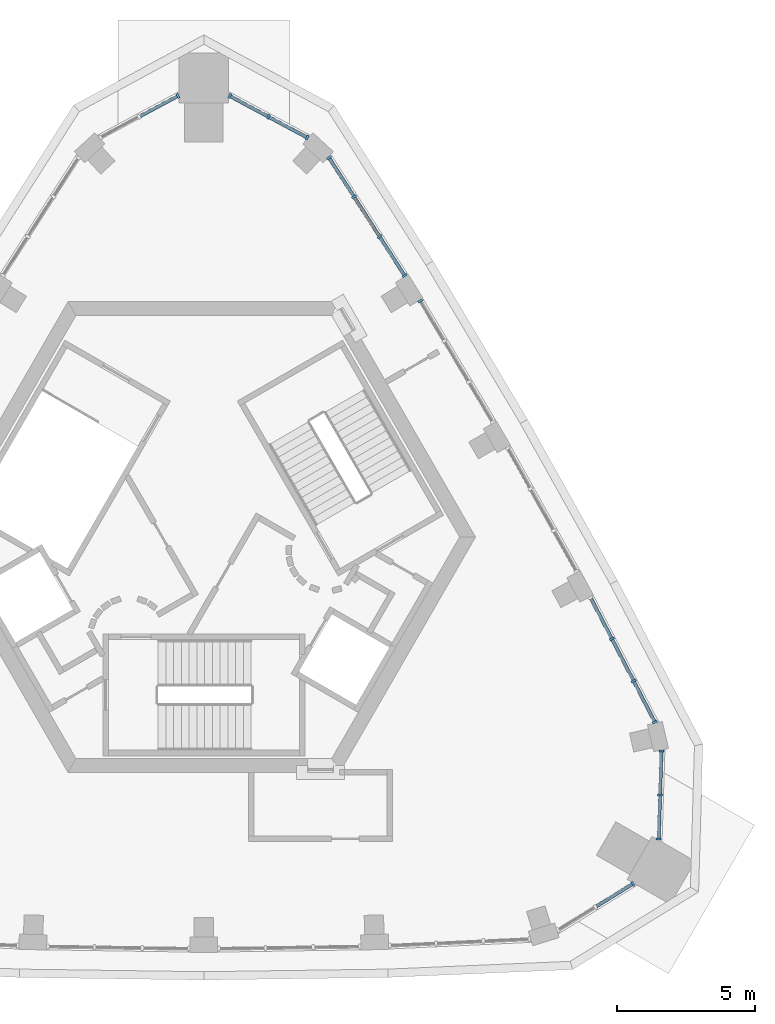
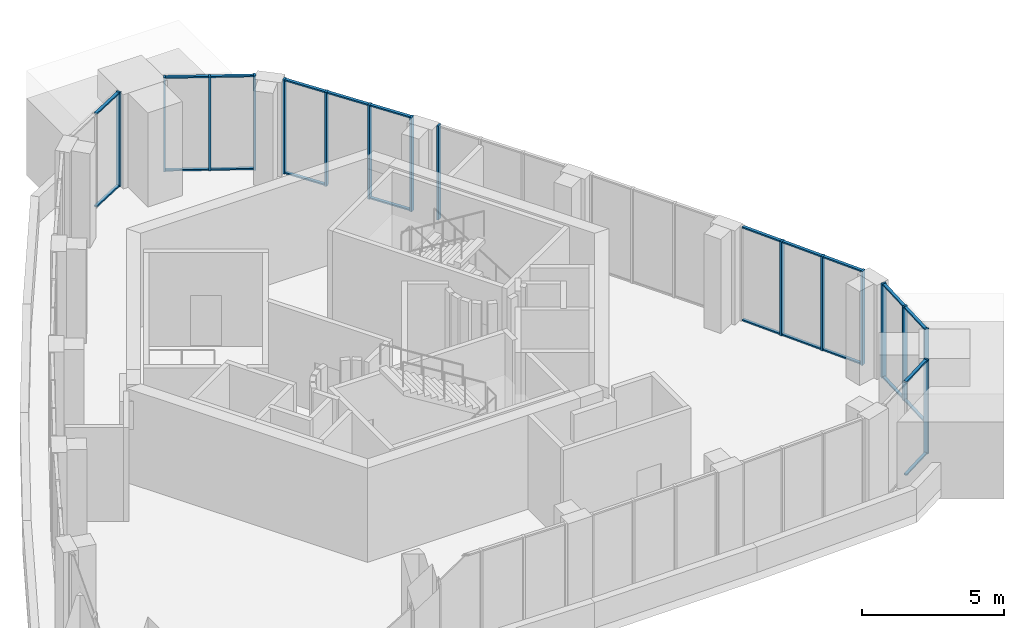
# One storey, part 4 of 9: 39 members, 7 elements without a shape of their own.
"""IFC4 building model written with IfcOpenShell, lengths in metres."""

from ifc_helpers import new_model, si_unit, direction, frame, origin, origin_2d, place, context, subcontext, project, spatial, rectangle, extrude, material, material_profile, profile_set, type_object, element, aggregate, save


model = new_model("IFC4")

# Units and contexts
model_context = context("Model", 3, precision=1e-05, world=origin(), true_north=direction((0.0, 1.0)))
body_context = subcontext(model_context, "Body", "Model", "MODEL_VIEW")
ifc_project = project(units=[si_unit("LENGTHUNIT", "METRE"), si_unit("AREAUNIT", "SQUARE_METRE"), si_unit("VOLUMEUNIT", "CUBIC_METRE"), si_unit("PLANEANGLEUNIT", "RADIAN"), si_unit("MASSUNIT", "GRAM", prefix="KILO")], contexts=[model_context])

# Site, building, storey
site_placement = place(None, origin())
site = spatial("IfcSite", under=ifc_project, at=site_placement, CompositionType="ELEMENT")
building_placement = place(site_placement, origin())
building = spatial("IfcBuilding", under=site, at=building_placement, Name="Entoto Arch Interchange Tower", CompositionType="ELEMENT")
storey_placement = place(building_placement, frame((0.0, 0.0, 358.39990234375)))
storey = spatial("IfcBuildingStorey", under=building, at=storey_placement, Name="L84", CompositionType="ELEMENT", Elevation=358.39990234375)

# Curtain wall, member
ifc_material = material(Name="Aluminium, anodised", Category="aluminium")
curtain_wall_type = type_object("IfcCurtainWallType", Name="CURTAIN WALL CROWN LANTERN", PredefinedType="NOTDEFINED", material=ifc_material)
curtain_wall_1_placement = place(storey_placement, origin())
curtain_wall_1 = element("IfcCurtainWall", 1, at=curtain_wall_1_placement, inside=storey, type_object=curtain_wall_type, Name="Crown Lantern glazing SE-01 L84", PredefinedType="NOTDEFINED")
ifc_material_profile_1 = material_profile(ifc_material, rectangle(XDim=0.179931640625, YDim=0.080078125, at=origin_2d()))
ifc_profile_set_1 = profile_set([ifc_material_profile_1], Name="Aluminium, anodised")
member_type_1 = type_object("IfcMemberType", Name="MULLION CROWN LANTERN 80x180", PredefinedType="MULLION", material=ifc_profile_set_1)
member_1_placement = place(storey_placement, frame((15.49609375, -10.026123046875, 0.0), z_axis=(0.0, 0.0, 1.0), x_axis=(-0.526629282002, 0.850095053119, 0.0)))
member_1 = element("IfcMember", 2, at=member_1_placement, type_object=member_type_1, Name="CWL mullion 3", PredefinedType="MULLION", context=body_context, shape_type="SweptSolid", body=[
    extrude(rectangle(XDim=0.179931640625, YDim=0.080078125, at=origin_2d()), origin(), (0.0, 0.0, 1.0), 4.050048828125),
])

# Curtain wall, members
curtain_wall_2_placement = place(storey_placement, origin())
curtain_wall_2 = element("IfcCurtainWall", 3, at=curtain_wall_2_placement, inside=storey, type_object=curtain_wall_type, Name="Crown Lantern glazing SE-02 L84", PredefinedType="NOTDEFINED")
member_2_placement = place(storey_placement, frame((16.43017578125, -8.406982421875, 0.0), z_axis=(0.0, 0.0, 1.0), x_axis=(-0.999509677246, 0.031311421098, 0.0)))
member_2 = element("IfcMember", 4, at=member_2_placement, type_object=member_type_1, Name="CWL mullion 1", PredefinedType="MULLION", context=body_context, shape_type="SweptSolid", body=[
    extrude(rectangle(XDim=0.179931640625, YDim=0.080078125, at=origin_2d()), origin(), (0.0, 0.0, 1.0), 4.050048828125),
])
member_3_placement = place(storey_placement, frame((16.47998046875, -6.819091796875, 0.0), z_axis=(0.0, 0.0, 1.0), x_axis=(-0.999509677246, 0.031311421098, 0.0)))
member_3 = element("IfcMember", 5, at=member_3_placement, type_object=member_type_1, Name="CWL mullion 2", PredefinedType="MULLION", context=body_context, shape_type="SweptSolid", body=[
    extrude(rectangle(XDim=0.179931640625, YDim=0.080078125, at=origin_2d()), origin(), (0.0, 0.0, 1.0), 4.050048828125),
])
member_4_placement = place(storey_placement, frame((16.52978515625, -5.23095703125, 0.0), z_axis=(0.0, 0.0, 1.0), x_axis=(-0.999509677246, 0.031311421098, 0.0)))
member_4 = element("IfcMember", 6, at=member_4_placement, type_object=member_type_1, Name="CWL mullion 3", PredefinedType="MULLION", context=body_context, shape_type="SweptSolid", body=[
    extrude(rectangle(XDim=0.179931640625, YDim=0.080078125, at=origin_2d()), origin(), (0.0, 0.0, 1.0), 4.050048828125),
])

curtain_wall_3_placement = place(storey_placement, origin())
curtain_wall_3 = element("IfcCurtainWall", 7, at=curtain_wall_3_placement, inside=storey, type_object=curtain_wall_type, Name="Crown Lantern glazing NE-01 L84", PredefinedType="NOTDEFINED")
member_5_placement = place(storey_placement, frame((16.291748046875, -4.182373046875, 0.0), z_axis=(0.0, 0.0, 1.0), x_axis=(-0.888469575293, -0.458935522463, 0.0)))
member_5 = element("IfcMember", 8, at=member_5_placement, type_object=member_type_1, Name="CWL mullion 1", PredefinedType="MULLION", context=body_context, shape_type="SweptSolid", body=[
    extrude(rectangle(XDim=0.179931640625, YDim=0.080078125, at=origin_2d()), origin(), (0.0, 0.0, 1.0), 4.050048828125),
])
member_6_placement = place(storey_placement, frame((15.5244140625, -2.697021484375, 0.0), z_axis=(0.0, 0.0, 1.0), x_axis=(-0.888469575293, -0.458935522463, 0.0)))
member_6 = element("IfcMember", 9, at=member_6_placement, type_object=member_type_1, Name="CWL mullion 2", PredefinedType="MULLION", context=body_context, shape_type="SweptSolid", body=[
    extrude(rectangle(XDim=0.179931640625, YDim=0.080078125, at=origin_2d()), origin(), (0.0, 0.0, 1.0), 4.050048828125),
])
member_7_placement = place(storey_placement, frame((14.73876953125, -1.176025390625, 0.0), z_axis=(0.0, 0.0, 1.0), x_axis=(-0.888469575293, -0.458935522463, 0.0)))
member_7 = element("IfcMember", 10, at=member_7_placement, type_object=member_type_1, Name="CWL mullion 3", PredefinedType="MULLION", context=body_context, shape_type="SweptSolid", body=[
    extrude(rectangle(XDim=0.179931640625, YDim=0.080078125, at=origin_2d()), origin(), (0.0, 0.0, 1.0), 4.050048828125),
])

# Curtain wall, member
curtain_wall_4_placement = place(storey_placement, origin())
curtain_wall_4 = element("IfcCurtainWall", 11, at=curtain_wall_4_placement, inside=storey, type_object=curtain_wall_type, Name="Crown Lantern glazing NE-03 L84", PredefinedType="NOTDEFINED")
member_8_placement = place(storey_placement, frame((7.820556640625, 11.028564453125, 0.0), z_axis=(0.0, 0.0, 1.0), x_axis=(-0.858105257627, -0.513473822929, 0.0)))
member_8 = element("IfcMember", 12, at=member_8_placement, type_object=member_type_1, Name="CWL mullion 4", PredefinedType="MULLION", context=body_context, shape_type="SweptSolid", body=[
    extrude(rectangle(XDim=0.179931640625, YDim=0.080078125, at=origin_2d()), origin(), (0.0, 0.0, 1.0), 4.050048828125),
])
aggregate(curtain_wall_4, [member_8])

# Curtain wall, members
curtain_wall_5_placement = place(storey_placement, origin())
curtain_wall_5 = element("IfcCurtainWall", 13, at=curtain_wall_5_placement, inside=storey, type_object=curtain_wall_type, Name="Crown Lantern glazing NE-04 L84", PredefinedType="NOTDEFINED")
member_9_placement = place(storey_placement, frame((7.25244140625, 11.944580078125, 0.0), z_axis=(0.0, 0.0, 1.0), x_axis=(-0.841836023439, -0.539733369026, 0.0)))
member_9 = element("IfcMember", 14, at=member_9_placement, type_object=member_type_1, Name="CWL mullion 1", PredefinedType="MULLION", context=body_context, shape_type="SweptSolid", body=[
    extrude(rectangle(XDim=0.179931640625, YDim=0.080078125, at=origin_2d()), origin(), (0.0, 0.0, 1.0), 4.050048828125),
])
member_10_placement = place(storey_placement, frame((6.350341796875, 13.3515625, 0.0), z_axis=(0.0, 0.0, 1.0), x_axis=(-0.841836023439, -0.539733369026, 0.0)))
member_10 = element("IfcMember", 15, at=member_10_placement, type_object=member_type_1, Name="CWL mullion 2", PredefinedType="MULLION", context=body_context, shape_type="SweptSolid", body=[
    extrude(rectangle(XDim=0.179931640625, YDim=0.080078125, at=origin_2d()), origin(), (0.0, 0.0, 1.0), 4.050048828125),
])
member_11_placement = place(storey_placement, frame((5.4267578125, 14.792236328125, 0.0), z_axis=(0.0, 0.0, 1.0), x_axis=(-0.841836023439, -0.539733369026, 0.0)))
member_11 = element("IfcMember", 16, at=member_11_placement, type_object=member_type_1, Name="CWL mullion 3", PredefinedType="MULLION", context=body_context, shape_type="SweptSolid", body=[
    extrude(rectangle(XDim=0.179931640625, YDim=0.080078125, at=origin_2d()), origin(), (0.0, 0.0, 1.0), 4.050048828125),
])
member_12_placement = place(storey_placement, frame((4.524658203125, 16.19921875, 0.0), z_axis=(0.0, 0.0, 1.0), x_axis=(-0.841836023439, -0.539733369026, 0.0)))
member_12 = element("IfcMember", 17, at=member_12_placement, type_object=member_type_1, Name="CWL mullion 4", PredefinedType="MULLION", context=body_context, shape_type="SweptSolid", body=[
    extrude(rectangle(XDim=0.179931640625, YDim=0.080078125, at=origin_2d()), origin(), (0.0, 0.0, 1.0), 4.050048828125),
])

curtain_wall_6_placement = place(storey_placement, origin())
curtain_wall_6 = element("IfcCurtainWall", 18, at=curtain_wall_6_placement, inside=storey, type_object=curtain_wall_type, Name="Crown Lantern glazing N-01 L84", PredefinedType="NOTDEFINED")
member_13_placement = place(storey_placement, frame((3.73486328125, 16.929931640625, 0.0), z_axis=(0.0, 0.0, 1.0), x_axis=(-0.472928127279, -0.881101008074, 0.0)))
member_13 = element("IfcMember", 19, at=member_13_placement, type_object=member_type_1, Name="CWL mullion 1", PredefinedType="MULLION", context=body_context, shape_type="SweptSolid", body=[
    extrude(rectangle(XDim=0.179931640625, YDim=0.080078125, at=origin_2d()), origin(), (0.0, 0.0, 1.0), 4.050048828125),
])
member_14_placement = place(storey_placement, frame((2.33447265625, 17.681396484375, 0.0), z_axis=(0.0, 0.0, 1.0), x_axis=(-0.472928127279, -0.881101008074, 0.0)))
member_14 = element("IfcMember", 20, at=member_14_placement, type_object=member_type_1, Name="CWL mullion 2", PredefinedType="MULLION", context=body_context, shape_type="SweptSolid", body=[
    extrude(rectangle(XDim=0.179931640625, YDim=0.080078125, at=origin_2d()), origin(), (0.0, 0.0, 1.0), 4.050048828125),
])
member_15_placement = place(storey_placement, frame((0.934326171875, 18.43310546875, 0.0), z_axis=(0.0, 0.0, 1.0), x_axis=(-0.472928127279, -0.881101008074, 0.0)))
member_15 = element("IfcMember", 21, at=member_15_placement, type_object=member_type_1, Name="CWL mullion 3", PredefinedType="MULLION", context=body_context, shape_type="SweptSolid", body=[
    extrude(rectangle(XDim=0.179931640625, YDim=0.080078125, at=origin_2d()), origin(), (0.0, 0.0, 1.0), 4.050048828125),
])

# Curtain wall, member
curtain_wall_7_placement = place(storey_placement, origin())
curtain_wall_7 = element("IfcCurtainWall", 22, at=curtain_wall_7_placement, inside=storey, type_object=curtain_wall_type, Name="Crown Lantern glazing N-02 L84", PredefinedType="NOTDEFINED")
member_16_placement = place(storey_placement, frame((-0.934326171875, 18.43310546875, 0.0), z_axis=(0.0, 0.0, 1.0), x_axis=(0.472928127279, -0.881101008074, 0.0)))
member_16 = element("IfcMember", 23, at=member_16_placement, type_object=member_type_1, Name="CWL mullion 1", PredefinedType="MULLION", context=body_context, shape_type="SweptSolid", body=[
    extrude(rectangle(XDim=0.179931640625, YDim=0.080078125, at=origin_2d()), origin(), (0.0, 0.0, 1.0), 4.050048828125),
])

# Member
ifc_material_profile_2 = material_profile(ifc_material, rectangle(XDim=0.1201171875, YDim=0.06005859375, at=origin_2d()))
ifc_profile_set_2 = profile_set([ifc_material_profile_2], Name="Aluminium, anodised")
member_type_2 = type_object("IfcMemberType", Name="TRANSOM CROWN LANTERN 60x120", PredefinedType="USERDEFINED", material=ifc_profile_set_2)
member_17_placement = place(storey_placement, frame((14.178955078125, -10.842041015625, 0.030029296875), z_axis=(0.850054789348, 0.526694271002, 0.0), x_axis=(-0.526694271002, 0.850054789348, 0.0)))
member_17 = element("IfcMember", 24, at=member_17_placement, type_object=member_type_2, Name="CWL transom 2.1", ObjectType="TRANSOM", PredefinedType="USERDEFINED", context=body_context, shape_type="SweptSolid", body=[
    extrude(rectangle(XDim=0.1201171875, YDim=0.06005859375, at=origin_2d()), origin(), (0.0, 0.0, 1.0), 1.50927734375),
])

member_18_placement = place(storey_placement, frame((14.178955078125, -10.842041015625, 4.02001953125), z_axis=(0.850054789348, 0.526694271002, 0.0), x_axis=(-0.526694271002, 0.850054789348, 0.0)))
member_18 = element("IfcMember", 25, at=member_18_placement, type_object=member_type_2, Name="CWL transom 2.2", ObjectType="TRANSOM", PredefinedType="USERDEFINED", context=body_context, shape_type="SweptSolid", body=[
    extrude(rectangle(XDim=0.1201171875, YDim=0.06005859375, at=origin_2d()), origin(), (0.0, 0.0, 1.0), 1.50927734375),
])

aggregate(curtain_wall_1, [member_1, member_17, member_18])

member_19_placement = place(storey_placement, frame((16.431396484375, -8.366943359375, 0.030029296875), z_axis=(0.031391353567, 0.99950717002, 0.0), x_axis=(-0.99950717002, 0.031391353567, 0.0)))
member_19 = element("IfcMember", 26, at=member_19_placement, type_object=member_type_2, Name="CWL transom 1.1", ObjectType="TRANSOM", PredefinedType="USERDEFINED", context=body_context, shape_type="SweptSolid", body=[
    extrude(rectangle(XDim=0.1201171875, YDim=0.06005859375, at=origin_2d()), origin(), (0.0, 0.0, 1.0), 1.5087890625),
])

member_20_placement = place(storey_placement, frame((16.431396484375, -8.366943359375, 4.02001953125), z_axis=(0.031391353567, 0.99950717002, 0.0), x_axis=(-0.99950717002, 0.031391353567, 0.0)))
member_20 = element("IfcMember", 27, at=member_20_placement, type_object=member_type_2, Name="CWL transom 1.2", ObjectType="TRANSOM", PredefinedType="USERDEFINED", context=body_context, shape_type="SweptSolid", body=[
    extrude(rectangle(XDim=0.1201171875, YDim=0.06005859375, at=origin_2d()), origin(), (0.0, 0.0, 1.0), 1.5087890625),
])

member_21_placement = place(storey_placement, frame((16.481201171875, -6.779052734375, 0.030029296875), z_axis=(0.031391353567, 0.99950717002, 0.0), x_axis=(-0.99950717002, 0.031391353567, 0.0)))
member_21 = element("IfcMember", 28, at=member_21_placement, type_object=member_type_2, Name="CWL transom 2.1", ObjectType="TRANSOM", PredefinedType="USERDEFINED", context=body_context, shape_type="SweptSolid", body=[
    extrude(rectangle(XDim=0.1201171875, YDim=0.06005859375, at=origin_2d()), origin(), (0.0, 0.0, 1.0), 1.5087890625),
])

member_22_placement = place(storey_placement, frame((16.481201171875, -6.779052734375, 4.02001953125), z_axis=(0.031391353567, 0.99950717002, 0.0), x_axis=(-0.99950717002, 0.031391353567, 0.0)))
member_22 = element("IfcMember", 29, at=member_22_placement, type_object=member_type_2, Name="CWL transom 2.2", ObjectType="TRANSOM", PredefinedType="USERDEFINED", context=body_context, shape_type="SweptSolid", body=[
    extrude(rectangle(XDim=0.1201171875, YDim=0.06005859375, at=origin_2d()), origin(), (0.0, 0.0, 1.0), 1.5087890625),
])

aggregate(curtain_wall_2, [member_2, member_3, member_4, member_19, member_20, member_21, member_22])

member_23_placement = place(storey_placement, frame((16.273193359375, -4.14697265625, 0.030029296875), z_axis=(-0.458830410288, 0.888523862704, 0.0), x_axis=(-0.888523862704, -0.458830410288, 0.0)))
member_23 = element("IfcMember", 30, at=member_23_placement, type_object=member_type_2, Name="CWL transom 1.1", ObjectType="TRANSOM", PredefinedType="USERDEFINED", context=body_context, shape_type="SweptSolid", body=[
    extrude(rectangle(XDim=0.1201171875, YDim=0.06005859375, at=origin_2d()), origin(), (0.0, 0.0, 1.0), 1.592041015625),
])

member_24_placement = place(storey_placement, frame((16.273193359375, -4.14697265625, 4.02001953125), z_axis=(-0.458830410288, 0.888523862704, 0.0), x_axis=(-0.888523862704, -0.458830410288, 0.0)))
member_24 = element("IfcMember", 31, at=member_24_placement, type_object=member_type_2, Name="CWL transom 1.2", ObjectType="TRANSOM", PredefinedType="USERDEFINED", context=body_context, shape_type="SweptSolid", body=[
    extrude(rectangle(XDim=0.1201171875, YDim=0.06005859375, at=origin_2d()), origin(), (0.0, 0.0, 1.0), 1.592041015625),
])

member_25_placement = place(storey_placement, frame((15.505859375, -2.661376953125, 0.030029296875), z_axis=(-0.458844883614, 0.888516388583, 0.0), x_axis=(-0.888516388583, -0.458844883614, 0.0)))
member_25 = element("IfcMember", 32, at=member_25_placement, type_object=member_type_2, Name="CWL transom 2.1", ObjectType="TRANSOM", PredefinedType="USERDEFINED", context=body_context, shape_type="SweptSolid", body=[
    extrude(rectangle(XDim=0.1201171875, YDim=0.06005859375, at=origin_2d()), origin(), (0.0, 0.0, 1.0), 1.6318359375),
])

member_26_placement = place(storey_placement, frame((15.505859375, -2.661376953125, 4.02001953125), z_axis=(-0.458844883614, 0.888516388583, 0.0), x_axis=(-0.888516388583, -0.458844883614, 0.0)))
member_26 = element("IfcMember", 33, at=member_26_placement, type_object=member_type_2, Name="CWL transom 2.2", ObjectType="TRANSOM", PredefinedType="USERDEFINED", context=body_context, shape_type="SweptSolid", body=[
    extrude(rectangle(XDim=0.1201171875, YDim=0.06005859375, at=origin_2d()), origin(), (0.0, 0.0, 1.0), 1.6318359375),
])

member_27_placement = place(storey_placement, frame((14.72021484375, -1.140380859375, 0.030029296875), z_axis=(-0.458892936654, 0.888491571535, 0.0), x_axis=(-0.888491571535, -0.458892936654, 0.0)))
member_27 = element("IfcMember", 34, at=member_27_placement, type_object=member_type_2, Name="CWL transom 3.1", ObjectType="TRANSOM", PredefinedType="USERDEFINED", context=body_context, shape_type="SweptSolid", body=[
    extrude(rectangle(XDim=0.1201171875, YDim=0.06005859375, at=origin_2d()), origin(), (0.0, 0.0, 1.0), 1.591796875),
])

member_28_placement = place(storey_placement, frame((14.72021484375, -1.140380859375, 4.02001953125), z_axis=(-0.458892936654, 0.888491571535, 0.0), x_axis=(-0.888491571535, -0.458892936654, 0.0)))
member_28 = element("IfcMember", 35, at=member_28_placement, type_object=member_type_2, Name="CWL transom 3.2", ObjectType="TRANSOM", PredefinedType="USERDEFINED", context=body_context, shape_type="SweptSolid", body=[
    extrude(rectangle(XDim=0.1201171875, YDim=0.06005859375, at=origin_2d()), origin(), (0.0, 0.0, 1.0), 1.591796875),
])

aggregate(curtain_wall_3, [member_5, member_6, member_7, member_23, member_24, member_25, member_26, member_27, member_28])

member_29_placement = place(storey_placement, frame((7.230712890625, 11.978271484375, 0.030029296875), z_axis=(-0.539671690399, 0.841875564785, 0.0), x_axis=(-0.841875564785, -0.539671690399, 0.0)))
member_29 = element("IfcMember", 36, at=member_29_placement, type_object=member_type_2, Name="CWL transom 1.1", ObjectType="TRANSOM", PredefinedType="USERDEFINED", context=body_context, shape_type="SweptSolid", body=[
    extrude(rectangle(XDim=0.1201171875, YDim=0.06005859375, at=origin_2d()), origin(), (0.0, 0.0, 1.0), 1.591552734375),
])

member_30_placement = place(storey_placement, frame((7.230712890625, 11.978271484375, 4.02001953125), z_axis=(-0.539671690399, 0.841875564785, 0.0), x_axis=(-0.841875564785, -0.539671690399, 0.0)))
member_30 = element("IfcMember", 37, at=member_30_placement, type_object=member_type_2, Name="CWL transom 1.2", ObjectType="TRANSOM", PredefinedType="USERDEFINED", context=body_context, shape_type="SweptSolid", body=[
    extrude(rectangle(XDim=0.1201171875, YDim=0.06005859375, at=origin_2d()), origin(), (0.0, 0.0, 1.0), 1.591552734375),
])

member_31_placement = place(storey_placement, frame((6.328857421875, 13.38525390625, 4.02001953125), z_axis=(-0.539796653211, 0.841795446164, 0.0), x_axis=(-0.841795446164, -0.539796653211, 0.0)))
member_31 = element("IfcMember", 38, at=member_31_placement, type_object=member_type_2, Name="CWL transom 2.2", ObjectType="TRANSOM", PredefinedType="USERDEFINED", context=body_context, shape_type="SweptSolid", body=[
    extrude(rectangle(XDim=0.1201171875, YDim=0.06005859375, at=origin_2d()), origin(), (0.0, 0.0, 1.0), 1.63134765625),
])

member_32_placement = place(storey_placement, frame((5.405029296875, 14.825927734375, 0.030029296875), z_axis=(-0.539671690399, 0.841875564785, 0.0), x_axis=(-0.841875564785, -0.539671690399, 0.0)))
member_32 = element("IfcMember", 39, at=member_32_placement, type_object=member_type_2, Name="CWL transom 3.1", ObjectType="TRANSOM", PredefinedType="USERDEFINED", context=body_context, shape_type="SweptSolid", body=[
    extrude(rectangle(XDim=0.1201171875, YDim=0.06005859375, at=origin_2d()), origin(), (0.0, 0.0, 1.0), 1.591552734375),
])

member_33_placement = place(storey_placement, frame((5.405029296875, 14.825927734375, 4.02001953125), z_axis=(-0.539671690399, 0.841875564785, 0.0), x_axis=(-0.841875564785, -0.539671690399, 0.0)))
member_33 = element("IfcMember", 40, at=member_33_placement, type_object=member_type_2, Name="CWL transom 3.2", ObjectType="TRANSOM", PredefinedType="USERDEFINED", context=body_context, shape_type="SweptSolid", body=[
    extrude(rectangle(XDim=0.1201171875, YDim=0.06005859375, at=origin_2d()), origin(), (0.0, 0.0, 1.0), 1.591552734375),
])

aggregate(curtain_wall_5, [member_9, member_10, member_11, member_12, member_29, member_30, member_31, member_32, member_33])

member_34_placement = place(storey_placement, frame((3.699462890625, 16.94873046875, 0.030029296875), z_axis=(-0.881078069896, 0.472970860359, 0.0), x_axis=(-0.472970860359, -0.881078069896, 0.0)))
member_34 = element("IfcMember", 41, at=member_34_placement, type_object=member_type_2, Name="CWL transom 1.1", ObjectType="TRANSOM", PredefinedType="USERDEFINED", context=body_context, shape_type="SweptSolid", body=[
    extrude(rectangle(XDim=0.1201171875, YDim=0.06005859375, at=origin_2d()), origin(), (0.0, 0.0, 1.0), 1.50927734375),
])

member_35_placement = place(storey_placement, frame((3.699462890625, 16.94873046875, 4.02001953125), z_axis=(-0.881078069896, 0.472970860359, 0.0), x_axis=(-0.472970860359, -0.881078069896, 0.0)))
member_35 = element("IfcMember", 42, at=member_35_placement, type_object=member_type_2, Name="CWL transom 1.2", ObjectType="TRANSOM", PredefinedType="USERDEFINED", context=body_context, shape_type="SweptSolid", body=[
    extrude(rectangle(XDim=0.1201171875, YDim=0.06005859375, at=origin_2d()), origin(), (0.0, 0.0, 1.0), 1.50927734375),
])

member_36_placement = place(storey_placement, frame((2.29931640625, 17.700439453125, 0.030029296875), z_axis=(-0.881145473226, 0.472845275976, 0.0), x_axis=(-0.472845275976, -0.881145473226, 0.0)))
member_36 = element("IfcMember", 43, at=member_36_placement, type_object=member_type_2, Name="CWL transom 2.1", ObjectType="TRANSOM", PredefinedType="USERDEFINED", context=body_context, shape_type="SweptSolid", body=[
    extrude(rectangle(XDim=0.1201171875, YDim=0.06005859375, at=origin_2d()), origin(), (0.0, 0.0, 1.0), 1.50927734375),
])

member_37_placement = place(storey_placement, frame((2.29931640625, 17.700439453125, 4.02001953125), z_axis=(-0.881145473226, 0.472845275976, 0.0), x_axis=(-0.472845275976, -0.881145473226, 0.0)))
member_37 = element("IfcMember", 44, at=member_37_placement, type_object=member_type_2, Name="CWL transom 2.2", ObjectType="TRANSOM", PredefinedType="USERDEFINED", context=body_context, shape_type="SweptSolid", body=[
    extrude(rectangle(XDim=0.1201171875, YDim=0.06005859375, at=origin_2d()), origin(), (0.0, 0.0, 1.0), 1.50927734375),
])

aggregate(curtain_wall_6, [member_13, member_14, member_15, member_34, member_35, member_36, member_37])

member_38_placement = place(storey_placement, frame((-0.969482421875, 18.4140625, 0.030029296875), z_axis=(-0.881145473226, -0.472845275976, 0.0), x_axis=(0.472845275976, -0.881145473226, 0.0)))
member_38 = element("IfcMember", 45, at=member_38_placement, type_object=member_type_2, Name="CWL transom 1.1", ObjectType="TRANSOM", PredefinedType="USERDEFINED", context=body_context, shape_type="SweptSolid", body=[
    extrude(rectangle(XDim=0.1201171875, YDim=0.06005859375, at=origin_2d()), origin(), (0.0, 0.0, 1.0), 1.50927734375),
])

member_39_placement = place(storey_placement, frame((-0.969482421875, 18.4140625, 4.02001953125), z_axis=(-0.881145473226, -0.472845275976, 0.0), x_axis=(0.472845275976, -0.881145473226, 0.0)))
member_39 = element("IfcMember", 46, at=member_39_placement, type_object=member_type_2, Name="CWL transom 1.2", ObjectType="TRANSOM", PredefinedType="USERDEFINED", context=body_context, shape_type="SweptSolid", body=[
    extrude(rectangle(XDim=0.1201171875, YDim=0.06005859375, at=origin_2d()), origin(), (0.0, 0.0, 1.0), 1.50927734375),
])

aggregate(curtain_wall_7, [member_16, member_38, member_39])

save(model, "model.ifc")
